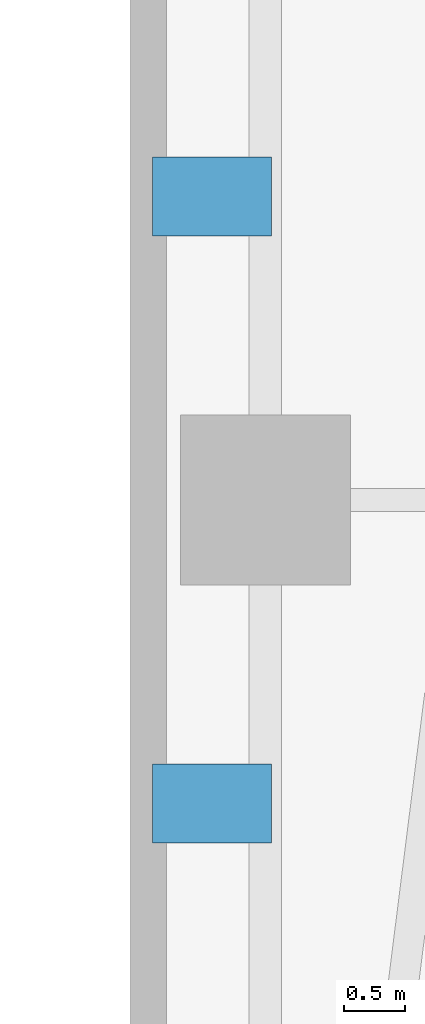
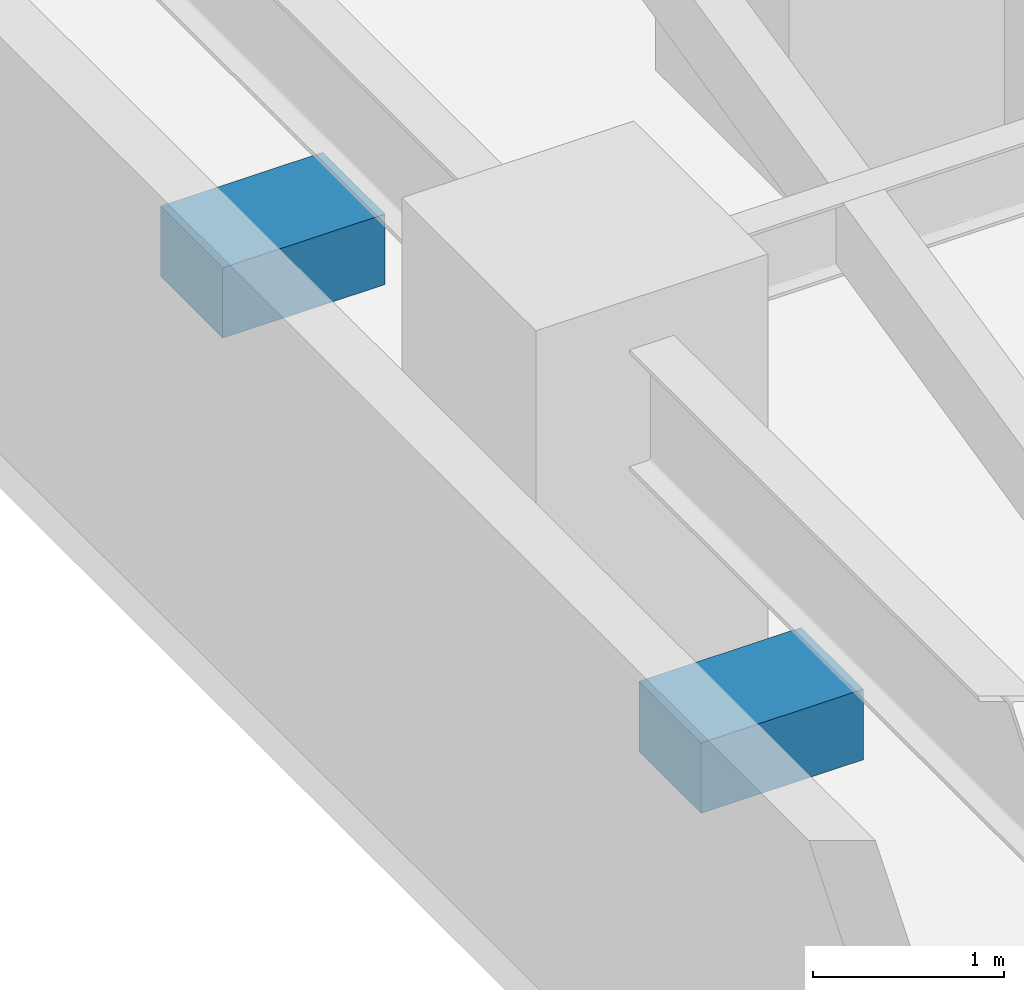
# One storey, part 31 of 36: 2 discrete accessories.
"""IFC4 building model written with IfcOpenShell, lengths in metres."""

from ifc_helpers import new_model, si_unit, direction, frame, origin, origin_2d, place, context, subcontext, project, spatial, rectangle, extrude, material, type_object, element, save


model = new_model("IFC4")

# Units and contexts
model_context = context("Model", 3, precision=1e-05, world=origin(), true_north=direction((0.0, 1.0)))
body_context = subcontext(model_context, "Body", "Model", "MODEL_VIEW")
ifc_project = project(units=[si_unit("LENGTHUNIT", "METRE"), si_unit("AREAUNIT", "SQUARE_METRE"), si_unit("VOLUMEUNIT", "CUBIC_METRE"), si_unit("PLANEANGLEUNIT", "RADIAN"), si_unit("MASSUNIT", "GRAM", prefix="KILO")], contexts=[model_context])

# Site, building, storey
site_placement = place(None, origin())
site = spatial("IfcSite", under=ifc_project, at=site_placement, CompositionType="ELEMENT")
building_placement = place(site_placement, origin())
building = spatial("IfcBuilding", under=site, at=building_placement, Name="Thornwick Lancets Civic Towers", CompositionType="ELEMENT")
storey_placement = place(building_placement, frame((0.0, 0.0, 68.10009765625)))
storey = spatial("IfcBuildingStorey", under=building, at=storey_placement, Name="L17", CompositionType="ELEMENT", Elevation=68.10009765625)

# Discrete accessories
ifc_material = material(Name="Concrete C60/75", Category="concrete")
discrete_accessory_type = type_object("IfcDiscreteAccessoryType", Name="ACC_CORBEL_SEAT", PredefinedType="BRACKET", material=ifc_material)
for number, where, z_axis, x_axis, name in (
    (1, (70.760009765625, 24.5, 1.88916015625), (0.0, 0.0, 1.0), (1.0, 0.0, 0.0), "L18 Skybridge Reinforced Concrete Sliding Bearing Corbel 1"),
    (2, (70.760009765625, 29.5, 1.88916015625), (0.0, 0.0, 1.0), (1.0, 0.0, 0.0), "L18 Skybridge Reinforced Concrete Sliding Bearing Corbel 2"),
):
    element("IfcDiscreteAccessory", number, at=place(storey_placement, frame(where, z_axis=z_axis, x_axis=x_axis)), inside=storey, type_object=discrete_accessory_type, Name=name, PredefinedType="BRACKET", context=body_context, shape_type="SweptSolid", body=[
        extrude(rectangle(XDim=0.97998046875, YDim=0.64990234375, at=origin_2d()), origin(), (0.0, 0.0, 1.0), 0.449951171875),
    ])

save(model, "model.ifc")
